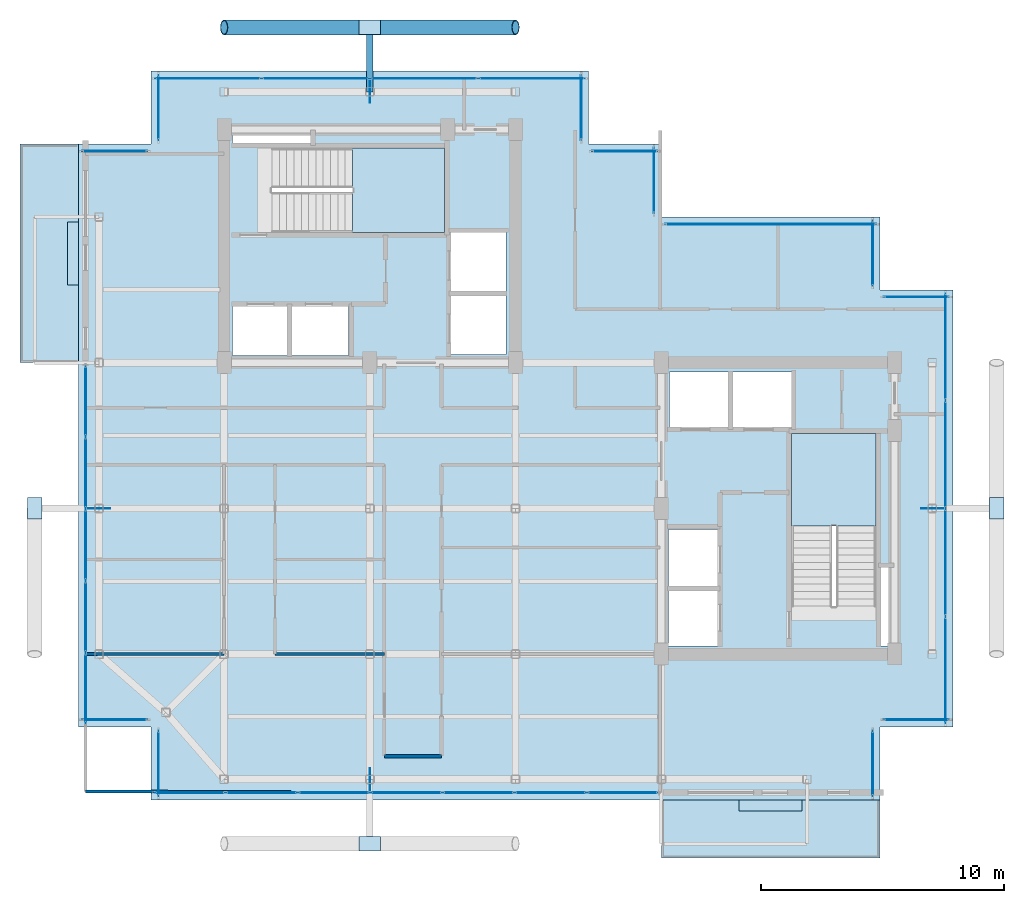
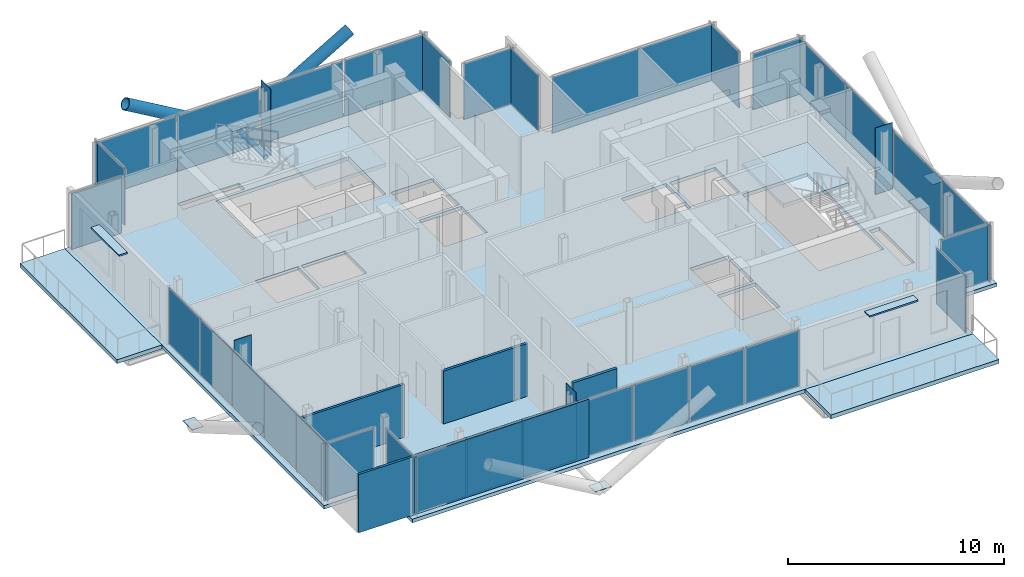
# One storey, part 13 of 18: 42 plates, 5 slabs, 4 walls, 3 members, 18 elements without a shape of their own.
"""IFC4 building model written with IfcOpenShell, lengths in metres."""

import ifcopenshell
import ifcopenshell.guid

model = None  # the IFC model being written
_history = None  # IfcOwnerHistory: only IFC2X3 demands one
_inside = {}  # id of a spatial element -> (the spatial element, [elements in it])
_under = {}  # id of a project, library or spatial element -> (it, [spatial elements below it])
_declared = {}  # id of a project -> (the project, [libraries it declares])
_typed = {}  # id of a type object -> (the type object, [elements of that type])
_made_of = {}  # id of a material, layer set ... -> (it, [elements and type objects made of it])


def new_model(schema):
    """Start an empty IFC model of exactly this schema.

    Asked for "IFC4X3", IfcOpenShell would pick the latest addendum, in which some entities
    have other attributes; the version numbers below select the first issue.
    IFC2X3 requires an IfcOwnerHistory on every rooted entity: one is made here for all.
    """
    global model, _history
    if schema == "IFC4X3":
        model = ifcopenshell.file(schema_version=(4, 3, 0, 0))
    else:
        model = ifcopenshell.file(schema=schema)
    _inside.clear()
    _under.clear()
    _declared.clear()
    _typed.clear()
    _made_of.clear()
    _history = None
    if model.schema == "IFC2X3":
        org = make("IfcOrganization", Name="unknown")
        user = make(
            "IfcPersonAndOrganization",
            ThePerson=make("IfcPerson", FamilyName="unknown"),
            TheOrganization=org,
        )
        app = make(
            "IfcApplication",
            ApplicationDeveloper=org,
            Version="unknown",
            ApplicationFullName="unknown",
            ApplicationIdentifier="unknown",
        )
        _history = make(
            "IfcOwnerHistory",
            OwningUser=user,
            OwningApplication=app,
            ChangeAction="ADDED",
            CreationDate=0,
        )
    return model


def make(cls, **values):
    """One entity of the class cls with the attributes given. An attribute that is None is left unset."""
    return model.create_entity(
        cls, **{name: value for name, value in values.items() if value is not None}
    )


def rooted(cls, **values):
    """An entity with a GlobalId (a new one), such as an element, a storey or a relation."""
    return make(cls, GlobalId=ifcopenshell.guid.new(), OwnerHistory=_history, **values)


def si_unit(unit_type, name, prefix=None):
    """IfcSIUnit, for example si_unit("LENGTHUNIT", "METRE", prefix="MILLI")."""
    return make("IfcSIUnit", UnitType=unit_type, Prefix=prefix, Name=name)


def assignment(units):
    """IfcUnitAssignment: the units of a project."""
    return None if units is None else make("IfcUnitAssignment", Units=units)


def point(xyz):
    """IfcCartesianPoint."""
    return None if xyz is None else make("IfcCartesianPoint", Coordinates=xyz)


def direction(xyz):
    """IfcDirection."""
    return None if xyz is None else make("IfcDirection", DirectionRatios=xyz)


def frame(location, z_axis=None, x_axis=None):
    """IfcAxis2Placement3D, a coordinate frame: its origin and axes. An axis left out is left unset."""
    return make(
        "IfcAxis2Placement3D",
        Location=point(location),
        Axis=direction(z_axis),
        RefDirection=direction(x_axis),
    )


def frame_2d(location, x_axis=None):
    """IfcAxis2Placement2D, a coordinate frame in the plane: its origin and x axis."""
    return make(
        "IfcAxis2Placement2D", Location=point(location), RefDirection=direction(x_axis)
    )


def origin():
    """The frame at (0, 0, 0) with its axes left unset."""
    return frame((0.0, 0.0, 0.0))


def origin_2d():
    """The frame at (0, 0) in the plane with its x axis left unset."""
    return frame_2d((0.0, 0.0))


def place(relative_to, where):
    """IfcLocalPlacement: puts the frame where relative to a parent placement (None: the world)."""
    return make(
        "IfcLocalPlacement", PlacementRelTo=relative_to, RelativePlacement=where
    )


def context(
    kind, dimensions, precision=None, world=None, true_north=None, identifier=None
):
    """IfcGeometricRepresentationContext, for example the 3D "Model" context."""
    return make(
        "IfcGeometricRepresentationContext",
        ContextIdentifier=identifier,
        ContextType=kind,
        CoordinateSpaceDimension=dimensions,
        Precision=precision,
        WorldCoordinateSystem=world,
        TrueNorth=true_north,
    )


def subcontext(parent, identifier, kind, view, scale=None):
    """IfcGeometricRepresentationSubContext, for example "Body" below "Model"."""
    return make(
        "IfcGeometricRepresentationSubContext",
        ContextIdentifier=identifier,
        ContextType=kind,
        ParentContext=parent,
        TargetScale=scale,
        TargetView=view,
    )


def project(units=None, contexts=None):
    """IfcProject with its units and contexts."""
    return rooted(
        "IfcProject",
        Name="project",
        RepresentationContexts=contexts,
        UnitsInContext=assignment(units),
    )


def spatial(cls, under=None, at=None, **own):
    """A site, building, storey or space (cls), placed at a placement, below another one or the project."""
    s = rooted(cls, ObjectPlacement=at, **own)
    if under is not None:
        _under.setdefault(under.id(), (under, []))[1].append(s)
    return s


def polyline(points):
    """IfcPolyline through the points."""
    return make("IfcPolyline", Points=[point(p) for p in points])


def profile(cls, at=None, kind="AREA", **sizes):
    """A parametric profile (cls). Its sizes go by their IFC names, for example OverallWidth=200.0."""
    return make(cls, ProfileType=kind, Position=at, **sizes)


def rectangle(**sizes):
    """IfcRectangleProfileDef."""
    return profile("IfcRectangleProfileDef", **sizes)


def hollow_circle(**sizes):
    """IfcCircleHollowProfileDef."""
    return profile("IfcCircleHollowProfileDef", **sizes)


def outline(outer, holes=None, kind="AREA"):
    """IfcArbitraryClosedProfileDef: a profile drawn as a closed curve; with holes, ...WithVoids."""
    if holes is None:
        return make("IfcArbitraryClosedProfileDef", ProfileType=kind, OuterCurve=outer)
    return make(
        "IfcArbitraryProfileDefWithVoids",
        ProfileType=kind,
        OuterCurve=outer,
        InnerCurves=holes,
    )


def extrude(swept, where, along, depth):
    """IfcExtrudedAreaSolid: the profile swept, set in the frame where, extruded along a direction by depth."""
    return make(
        "IfcExtrudedAreaSolid",
        SweptArea=swept,
        Position=where,
        ExtrudedDirection=direction(along),
        Depth=depth,
    )


def shape(context_of_items, identifier, shape_type, items):
    """IfcShapeRepresentation: the items that make up one representation, for example the "Body"."""
    return make(
        "IfcShapeRepresentation",
        ContextOfItems=context_of_items,
        RepresentationIdentifier=identifier,
        RepresentationType=shape_type,
        Items=items,
    )


def material(Name=None, Category=None):
    """IfcMaterial."""
    return make("IfcMaterial", Name=Name, Category=Category)


def layer(
    of_material, thickness, ventilated=None, Name=None, Category=None, Priority=None
):
    """IfcMaterialLayer: one layer of a wall or slab, of a material (None: an air gap)."""
    return make(
        "IfcMaterialLayer",
        Material=of_material,
        LayerThickness=thickness,
        IsVentilated=ventilated,
        Name=Name,
        Category=Category,
        Priority=Priority,
    )


def layer_set(layers, Name=None):
    """IfcMaterialLayerSet."""
    return make("IfcMaterialLayerSet", MaterialLayers=layers, LayerSetName=Name)


def material_profile(
    of_material, cross_section, Name=None, Category=None, Priority=None
):
    """IfcMaterialProfile: a cross section and its material."""
    return make(
        "IfcMaterialProfile",
        Name=Name,
        Material=of_material,
        Profile=cross_section,
        Priority=Priority,
        Category=Category,
    )


def profile_set(profiles, Name=None, composite=None):
    """IfcMaterialProfileSet."""
    return make(
        "IfcMaterialProfileSet",
        Name=Name,
        MaterialProfiles=profiles,
        CompositeProfile=composite,
    )


def made_of(thing, what):
    """Note that an element or type object is made of a material, layer set ...; save() writes the relation."""
    if what is not None:
        _made_of.setdefault(what.id(), (what, []))[1].append(thing)
    return thing


def type_object(cls, material=None, **own):
    """A type object (cls), such as IfcWallType, which elements share."""
    return made_of(rooted(cls, **own), material)


def element(
    cls,
    number,
    at=None,
    inside=None,
    cuts=None,
    type_object=None,
    material=None,
    context=None,
    identifier="Body",
    shape_type=None,
    held_by="IfcProductDefinitionShape",
    body=None,
    shapes=None,
    **own,
):
    """One element of the class cls, such as IfcWall. Its Tag is "e" and its number.

    at: its placement. inside: the storey or other place that contains it. cuts: it is an
    opening in that element (IfcRelVoidsElement). A single representation is given by context,
    identifier, shape_type and body (its items); several are given by shapes. held_by: the class
    of the entity that holds the representations. save() writes the other relations.
    """
    e = rooted(cls, Tag="e%d" % number, ObjectPlacement=at, **own)
    if body is not None:
        shapes = [shape(context, identifier, shape_type, body)]
    if shapes is not None:
        e.Representation = make(held_by, Representations=shapes)
    if inside is not None:
        _inside.setdefault(inside.id(), (inside, []))[1].append(e)
    if cuts is not None:
        rooted(
            "IfcRelVoidsElement", RelatingBuildingElement=cuts, RelatedOpeningElement=e
        )
    if type_object is not None:
        _typed.setdefault(type_object.id(), (type_object, []))[1].append(e)
    return made_of(e, material)


def aggregate(whole, parts):
    """IfcRelAggregates: a whole, such as a stair, and the parts it consists of."""
    return rooted("IfcRelAggregates", RelatingObject=whole, RelatedObjects=parts)


def save(model, path):
    """Write the relations noted so far, then the file.

    IfcRelAggregates (storeys below a building ...), IfcRelContainedInSpatialStructure (elements
    in a storey), IfcRelDefinesByType, IfcRelAssociatesMaterial and IfcRelDeclares: one each for
    every whole, place, type object, material and project.
    """
    for whole, parts in _under.values():
        aggregate(whole, parts)
    for where, things in _inside.values():
        rooted(
            "IfcRelContainedInSpatialStructure",
            RelatedElements=things,
            RelatingStructure=where,
        )
    for kind, things in _typed.values():
        rooted("IfcRelDefinesByType", RelatedObjects=things, RelatingType=kind)
    for what, things in _made_of.values():
        rooted("IfcRelAssociatesMaterial", RelatedObjects=things, RelatingMaterial=what)
    for by, libraries in _declared.values():
        rooted("IfcRelDeclares", RelatingContext=by, RelatedDefinitions=libraries)
    model.write(path)


model = new_model("IFC4")

# Units and contexts
model_context = context("Model", 3, precision=1e-05, world=origin(), true_north=direction((0.0, 1.0)))
body_context = subcontext(model_context, "Body", "Model", "MODEL_VIEW")
ifc_project = project(units=[si_unit("LENGTHUNIT", "METRE"), si_unit("AREAUNIT", "SQUARE_METRE"), si_unit("VOLUMEUNIT", "CUBIC_METRE"), si_unit("PLANEANGLEUNIT", "RADIAN"), si_unit("MASSUNIT", "GRAM", prefix="KILO"), si_unit("THERMODYNAMICTEMPERATUREUNIT", "KELVIN"), si_unit("POWERUNIT", "WATT")], contexts=[model_context])

# Site, building, storey
site_placement = place(None, origin())
site = spatial("IfcSite", under=ifc_project, at=site_placement, CompositionType="ELEMENT")
building_placement = place(site_placement, origin())
building = spatial("IfcBuilding", under=site, at=building_placement, Name="Svarakhadi Broadcast Tower", CompositionType="ELEMENT")
storey_placement = place(building_placement, frame((0.0, 0.0, 260.699951171875)))
storey = spatial("IfcBuildingStorey", under=building, at=storey_placement, Name="L65", CompositionType="ELEMENT", Elevation=260.699951171875)

# Members
ifc_material_1 = material(Name="Steel S460ML (IS 2062 E450BR)", Category="steel")
ifc_material_profile_1 = material_profile(ifc_material_1, hollow_circle(Radius=0.304931640625, WallThickness=0.030029296875, at=origin_2d()), Name="CHS 610x30")
ifc_profile_set_1 = profile_set([ifc_material_profile_1], Name="Steel S460ML (IS 2062 E450BR)")
member_type_1 = type_object("IfcMemberType", Name="Exo_Brace_CHS610", PredefinedType="BRACE", material=ifc_profile_set_1)
for number, where, z_axis, x_axis, name in (
    (1, (12.0, 31.800048828125, -0.33642578125), (-0.863778900898, 0.0, 0.503871025524), (0.0, -1.0, 0.0), "L65 Exposed Bronze Exoskeleton Diagonal N06"),
    (2, (12.0, 31.800048828125, -0.33642578125), (0.863778900898, 0.0, 0.503871025524), (0.0, 1.0, 0.0), "L65 Exposed Bronze Exoskeleton Diagonal N07"),
):
    element("IfcMember", number, at=place(storey_placement, frame(where, z_axis=z_axis, x_axis=x_axis)), inside=storey, type_object=member_type_1, Name=name, PredefinedType="BRACE", context=body_context, shape_type="SweptSolid", body=[
        extrude(hollow_circle(Radius=0.304931640625, WallThickness=0.030029296875, at=origin_2d()), origin(), (0.0, 0.0, 1.0), 6.9462890625),
    ])
ifc_material_profile_2 = material_profile(ifc_material_1, hollow_circle(Radius=0.136474609375, WallThickness=0.012451171875, at=origin_2d()), Name="CHS 273x12.5")
ifc_profile_set_2 = profile_set([ifc_material_profile_2], Name="Steel S460ML (IS 2062 E450BR)")
member_type_2 = type_object("IfcMemberType", Name="Exo_Radial_Strut_Z3", PredefinedType="STRUT", material=ifc_profile_set_2)
member_placement = place(storey_placement, frame((12.0, 31.800048828125, -0.33642578125), z_axis=(0.0, -1.0, 0.0), x_axis=(1.0, 0.0, 0.0)))
element("IfcMember", 3, at=member_placement, inside=storey, type_object=member_type_2, Name="L65 Exoskeleton Radial Tie Strut N04", PredefinedType="STRUT", context=body_context, shape_type="SweptSolid", body=[
    extrude(hollow_circle(Radius=0.136474609375, WallThickness=0.012451171875, at=origin_2d()), origin(), (0.0, 0.0, 1.0), 2.650146484375),
])

# Curtain wall, plate
ifc_material_2 = material(Name="Anodised Bronze Aluminium AA 6063-T6", Category="aluminium")
ifc_layer_1 = layer(ifc_material_2, 0.179931640625)
ifc_layer_set_1 = layer_set([ifc_layer_1], Name="Anodised Bronze Aluminium AA 6063-T6")
curtain_wall_type = type_object("IfcCurtainWallType", Name="CW_Sys_05", PredefinedType="NOTDEFINED", material=ifc_layer_set_1)
curtain_wall_1_placement = place(storey_placement, origin())
curtain_wall_1 = element("IfcCurtainWall", 4, at=curtain_wall_1_placement, inside=storey, type_object=curtain_wall_type, Name="L65 Unitised Facade Curtain Wall 01", PredefinedType="NOTDEFINED")
ifc_material_3 = material(Name="Double Low-E Laminated Acoustic Glass IGU 36 mm", Category="glass")
ifc_layer_2 = layer(ifc_material_3, 0.033935546875)
ifc_layer_set_2 = layer_set([ifc_layer_2], Name="Double Low-E Laminated Acoustic Glass IGU 36 mm")
plate_type_1 = type_object("IfcPlateType", Name="CW_Sys_05_Pnl", PredefinedType="CURTAIN_PANEL", material=ifc_layer_set_2)
plate_1_placement = place(storey_placement, frame((1.5, 3.300048828125, 0.065185546875), z_axis=(0.0, 0.0, 1.0), x_axis=(-1.0, 0.0, 0.0)))
plate_1 = element("IfcPlate", 5, at=plate_1_placement, type_object=plate_type_1, Name="CW-05 panel 1.1", PredefinedType="CURTAIN_PANEL", context=body_context, shape_type="SweptSolid", body=[
    extrude(rectangle(XDim=2.679931640625, YDim=0.033935546875, at=origin_2d()), origin(), (0.0, 0.0, 1.0), 3.169921875),
])
aggregate(curtain_wall_1, [plate_1])

# Curtain wall, plates
curtain_wall_2_placement = place(storey_placement, origin())
curtain_wall_2 = element("IfcCurtainWall", 6, at=curtain_wall_2_placement, inside=storey, type_object=curtain_wall_type, Name="L65 West Curtain Wall 02", PredefinedType="NOTDEFINED")
plate_2_placement = place(storey_placement, frame((0.300048828125, 4.589599609375, 0.065185546875), z_axis=(0.0, 0.0, 1.0), x_axis=(0.0, 1.0, 0.0)))
plate_2 = element("IfcPlate", 7, at=plate_2_placement, type_object=plate_type_1, Name="CW-05 panel 1.1", PredefinedType="CURTAIN_PANEL", context=body_context, shape_type="SweptSolid", body=[
    extrude(rectangle(XDim=2.85888671875, YDim=0.033935546875, at=origin_2d()), origin(), (0.0, 0.0, 1.0), 3.169921875),
])
plate_3_placement = place(storey_placement, frame((0.300048828125, 7.535888671875, 0.065185546875), z_axis=(0.0, 0.0, 1.0), x_axis=(0.0, 1.0, 0.0)))
plate_3 = element("IfcPlate", 8, at=plate_3_placement, type_object=plate_type_1, Name="CW-05 panel 2.1", PredefinedType="CURTAIN_PANEL", context=body_context, shape_type="SweptSolid", body=[
    extrude(rectangle(XDim=2.89404296875, YDim=0.033935546875, at=origin_2d()), origin(), (0.0, 0.0, 1.0), 3.169921875),
])
plate_4_placement = place(storey_placement, frame((0.300048828125, 10.5, 0.065185546875), z_axis=(0.0, 0.0, 1.0), x_axis=(0.0, 1.0, 0.0)))
plate_4 = element("IfcPlate", 9, at=plate_4_placement, type_object=plate_type_1, Name="CW-05 panel 3.1", PredefinedType="CURTAIN_PANEL", context=body_context, shape_type="SweptSolid", body=[
    extrude(rectangle(XDim=2.89404296875, YDim=0.033935546875, at=origin_2d()), origin(), (0.0, 0.0, 1.0), 3.169921875),
])
plate_5_placement = place(storey_placement, frame((0.300048828125, 13.464111328125, 0.065185546875), z_axis=(0.0, 0.0, 1.0), x_axis=(0.0, 1.0, 0.0)))
plate_5 = element("IfcPlate", 10, at=plate_5_placement, type_object=plate_type_1, Name="CW-05 panel 4.1", PredefinedType="CURTAIN_PANEL", context=body_context, shape_type="SweptSolid", body=[
    extrude(rectangle(XDim=2.89404296875, YDim=0.033935546875, at=origin_2d()), origin(), (0.0, 0.0, 1.0), 3.169921875),
])
plate_6_placement = place(storey_placement, frame((0.300048828125, 16.410400390625, 0.065185546875), z_axis=(0.0, 0.0, 1.0), x_axis=(0.0, 1.0, 0.0)))
plate_6 = element("IfcPlate", 11, at=plate_6_placement, type_object=plate_type_1, Name="CW-05 panel 5.1", PredefinedType="CURTAIN_PANEL", context=body_context, shape_type="SweptSolid", body=[
    extrude(rectangle(XDim=2.85888671875, YDim=0.033935546875, at=origin_2d()), origin(), (0.0, 0.0, 1.0), 3.169921875),
])
aggregate(curtain_wall_2, [plate_2, plate_3, plate_4, plate_5, plate_6])

# Curtain wall, plate
curtain_wall_3_placement = place(storey_placement, origin())
curtain_wall_3 = element("IfcCurtainWall", 12, at=curtain_wall_3_placement, inside=storey, type_object=curtain_wall_type, Name="L65 Unitised Facade Curtain Wall 03", PredefinedType="NOTDEFINED")
plate_7_placement = place(storey_placement, frame((1.5, 26.699951171875, 0.065185546875), z_axis=(0.0, 0.0, 1.0), x_axis=(1.0, 0.0, 0.0)))
plate_7 = element("IfcPlate", 13, at=plate_7_placement, type_object=plate_type_1, Name="CW-05 panel 1.1", PredefinedType="CURTAIN_PANEL", context=body_context, shape_type="SweptSolid", body=[
    extrude(rectangle(XDim=2.679931640625, YDim=0.033935546875, at=origin_2d()), origin(), (0.0, 0.0, 1.0), 3.169921875),
])
aggregate(curtain_wall_3, [plate_7])

curtain_wall_4_placement = place(storey_placement, origin())
curtain_wall_4 = element("IfcCurtainWall", 14, at=curtain_wall_4_placement, inside=storey, type_object=curtain_wall_type, Name="L65 Unitised Facade Curtain Wall 04", PredefinedType="NOTDEFINED")
plate_8_placement = place(storey_placement, frame((3.300048828125, 28.5, 0.065185546875), z_axis=(0.0, 0.0, 1.0), x_axis=(0.0, 1.0, 0.0)))
plate_8 = element("IfcPlate", 15, at=plate_8_placement, type_object=plate_type_1, Name="CW-05 panel 1.1", PredefinedType="CURTAIN_PANEL", context=body_context, shape_type="SweptSolid", body=[
    extrude(rectangle(XDim=2.679931640625, YDim=0.033935546875, at=origin_2d()), origin(), (0.0, 0.0, 1.0), 3.169921875),
])
aggregate(curtain_wall_4, [plate_8])

# Curtain wall, plates
curtain_wall_5_placement = place(storey_placement, origin())
curtain_wall_5 = element("IfcCurtainWall", 16, at=curtain_wall_5_placement, inside=storey, type_object=curtain_wall_type, Name="L65 Unitised Facade Curtain Wall 05", PredefinedType="NOTDEFINED")
plate_9_placement = place(storey_placement, frame((5.3349609375, 29.699951171875, 0.065185546875), z_axis=(0.0, 0.0, 1.0), x_axis=(1.0, 0.0, 0.0)))
plate_9 = element("IfcPlate", 17, at=plate_9_placement, type_object=plate_type_1, Name="CW-05 panel 1.1", PredefinedType="CURTAIN_PANEL", context=body_context, shape_type="SweptSolid", body=[
    extrude(rectangle(XDim=4.35009765625, YDim=0.033935546875, at=origin_2d()), origin(), (0.0, 0.0, 1.0), 3.169921875),
])
plate_10_placement = place(storey_placement, frame((9.7724609375, 29.699951171875, 0.065185546875), z_axis=(0.0, 0.0, 1.0), x_axis=(1.0, 0.0, 0.0)))
plate_10 = element("IfcPlate", 18, at=plate_10_placement, type_object=plate_type_1, Name="CW-05 panel 2.1", PredefinedType="CURTAIN_PANEL", context=body_context, shape_type="SweptSolid", body=[
    extrude(rectangle(XDim=4.385009765625, YDim=0.033935546875, at=origin_2d()), origin(), (0.0, 0.0, 1.0), 3.169921875),
])
plate_11_placement = place(storey_placement, frame((14.2275390625, 29.699951171875, 0.065185546875), z_axis=(0.0, 0.0, 1.0), x_axis=(1.0, 0.0, 0.0)))
plate_11 = element("IfcPlate", 19, at=plate_11_placement, type_object=plate_type_1, Name="CW-05 panel 3.1", PredefinedType="CURTAIN_PANEL", context=body_context, shape_type="SweptSolid", body=[
    extrude(rectangle(XDim=4.385009765625, YDim=0.033935546875, at=origin_2d()), origin(), (0.0, 0.0, 1.0), 3.169921875),
])
plate_12_placement = place(storey_placement, frame((18.6650390625, 29.699951171875, 0.065185546875), z_axis=(0.0, 0.0, 1.0), x_axis=(1.0, 0.0, 0.0)))
plate_12 = element("IfcPlate", 20, at=plate_12_placement, type_object=plate_type_1, Name="CW-05 panel 4.1", PredefinedType="CURTAIN_PANEL", context=body_context, shape_type="SweptSolid", body=[
    extrude(rectangle(XDim=4.35009765625, YDim=0.033935546875, at=origin_2d()), origin(), (0.0, 0.0, 1.0), 3.169921875),
])
aggregate(curtain_wall_5, [plate_9, plate_10, plate_11, plate_12])

# Curtain wall, plate
curtain_wall_6_placement = place(storey_placement, origin())
curtain_wall_6 = element("IfcCurtainWall", 21, at=curtain_wall_6_placement, inside=storey, type_object=curtain_wall_type, Name="L65 Unitised Facade Curtain Wall 06", PredefinedType="NOTDEFINED")
plate_13_placement = place(storey_placement, frame((20.699951171875, 28.5, 0.065185546875), z_axis=(0.0, 0.0, 1.0), x_axis=(0.0, -1.0, 0.0)))
plate_13 = element("IfcPlate", 22, at=plate_13_placement, type_object=plate_type_1, Name="CW-05 panel 1.1", PredefinedType="CURTAIN_PANEL", context=body_context, shape_type="SweptSolid", body=[
    extrude(rectangle(XDim=2.679931640625, YDim=0.033935546875, at=origin_2d()), origin(), (0.0, 0.0, 1.0), 3.169921875),
])
aggregate(curtain_wall_6, [plate_13])

curtain_wall_7_placement = place(storey_placement, origin())
curtain_wall_7 = element("IfcCurtainWall", 23, at=curtain_wall_7_placement, inside=storey, type_object=curtain_wall_type, Name="L65 Unitised Facade Curtain Wall 07", PredefinedType="NOTDEFINED")
plate_14_placement = place(storey_placement, frame((22.5, 26.699951171875, 0.065185546875), z_axis=(0.0, 0.0, 1.0), x_axis=(1.0, 0.0, 0.0)))
plate_14 = element("IfcPlate", 24, at=plate_14_placement, type_object=plate_type_1, Name="CW-05 panel 1.1", PredefinedType="CURTAIN_PANEL", context=body_context, shape_type="SweptSolid", body=[
    extrude(rectangle(XDim=2.679931640625, YDim=0.033935546875, at=origin_2d()), origin(), (0.0, 0.0, 1.0), 3.169921875),
])
aggregate(curtain_wall_7, [plate_14])

curtain_wall_8_placement = place(storey_placement, origin())
curtain_wall_8 = element("IfcCurtainWall", 25, at=curtain_wall_8_placement, inside=storey, type_object=curtain_wall_type, Name="L65 Unitised Facade Curtain Wall 08", PredefinedType="NOTDEFINED")
plate_15_placement = place(storey_placement, frame((23.699951171875, 25.5, 0.065185546875), z_axis=(0.0, 0.0, 1.0), x_axis=(0.0, -1.0, 0.0)))
plate_15 = element("IfcPlate", 26, at=plate_15_placement, type_object=plate_type_1, Name="CW-05 panel 1.1", PredefinedType="CURTAIN_PANEL", context=body_context, shape_type="SweptSolid", body=[
    extrude(rectangle(XDim=2.679931640625, YDim=0.033935546875, at=origin_2d()), origin(), (0.0, 0.0, 1.0), 3.169921875),
])
aggregate(curtain_wall_8, [plate_15])

curtain_wall_9_placement = place(storey_placement, origin())
curtain_wall_9 = element("IfcCurtainWall", 27, at=curtain_wall_9_placement, inside=storey, type_object=curtain_wall_type, Name="L65 Unitised Facade Curtain Wall 09", PredefinedType="NOTDEFINED")
plate_16_placement = place(storey_placement, frame((28.5, 23.699951171875, 0.065185546875), z_axis=(0.0, 0.0, 1.0), x_axis=(1.0, 0.0, 0.0)))
plate_16 = element("IfcPlate", 28, at=plate_16_placement, type_object=plate_type_1, Name="CW-05 panel 1.1", PredefinedType="CURTAIN_PANEL", context=body_context, shape_type="SweptSolid", body=[
    extrude(rectangle(XDim=8.679931640625, YDim=0.033935546875, at=origin_2d()), origin(), (0.0, 0.0, 1.0), 3.169921875),
])
aggregate(curtain_wall_9, [plate_16])

curtain_wall_10_placement = place(storey_placement, origin())
curtain_wall_10 = element("IfcCurtainWall", 29, at=curtain_wall_10_placement, inside=storey, type_object=curtain_wall_type, Name="L65 Unitised Facade Curtain Wall 10", PredefinedType="NOTDEFINED")
plate_17_placement = place(storey_placement, frame((32.699951171875, 22.5, 0.065185546875), z_axis=(0.0, 0.0, 1.0), x_axis=(0.0, -1.0, 0.0)))
plate_17 = element("IfcPlate", 30, at=plate_17_placement, type_object=plate_type_1, Name="CW-05 panel 1.1", PredefinedType="CURTAIN_PANEL", context=body_context, shape_type="SweptSolid", body=[
    extrude(rectangle(XDim=2.679931640625, YDim=0.033935546875, at=origin_2d()), origin(), (0.0, 0.0, 1.0), 3.169921875),
])
aggregate(curtain_wall_10, [plate_17])

curtain_wall_11_placement = place(storey_placement, origin())
curtain_wall_11 = element("IfcCurtainWall", 31, at=curtain_wall_11_placement, inside=storey, type_object=curtain_wall_type, Name="L65 Unitised Facade Curtain Wall 11", PredefinedType="NOTDEFINED")
plate_18_placement = place(storey_placement, frame((34.5, 20.699951171875, 0.065185546875), z_axis=(0.0, 0.0, 1.0), x_axis=(1.0, 0.0, 0.0)))
plate_18 = element("IfcPlate", 32, at=plate_18_placement, type_object=plate_type_1, Name="CW-05 panel 1.1", PredefinedType="CURTAIN_PANEL", context=body_context, shape_type="SweptSolid", body=[
    extrude(rectangle(XDim=2.679931640625, YDim=0.033935546875, at=origin_2d()), origin(), (0.0, 0.0, 1.0), 3.169921875),
])
aggregate(curtain_wall_11, [plate_18])

# Curtain wall, plates
curtain_wall_12_placement = place(storey_placement, origin())
curtain_wall_12 = element("IfcCurtainWall", 33, at=curtain_wall_12_placement, inside=storey, type_object=curtain_wall_type, Name="L65 Unitised Facade Curtain Wall 12", PredefinedType="NOTDEFINED")
plate_19_placement = place(storey_placement, frame((35.699951171875, 18.6650390625, 0.065185546875), z_axis=(0.0, 0.0, 1.0), x_axis=(0.0, -1.0, 0.0)))
plate_19 = element("IfcPlate", 34, at=plate_19_placement, type_object=plate_type_1, Name="CW-05 panel 1.1", PredefinedType="CURTAIN_PANEL", context=body_context, shape_type="SweptSolid", body=[
    extrude(rectangle(XDim=4.35009765625, YDim=0.033935546875, at=origin_2d()), origin(), (0.0, 0.0, 1.0), 3.169921875),
])
plate_20_placement = place(storey_placement, frame((35.699951171875, 14.2275390625, 0.065185546875), z_axis=(0.0, 0.0, 1.0), x_axis=(0.0, -1.0, 0.0)))
plate_20 = element("IfcPlate", 35, at=plate_20_placement, type_object=plate_type_1, Name="CW-05 panel 2.1", PredefinedType="CURTAIN_PANEL", context=body_context, shape_type="SweptSolid", body=[
    extrude(rectangle(XDim=4.385009765625, YDim=0.033935546875, at=origin_2d()), origin(), (0.0, 0.0, 1.0), 3.169921875),
])
plate_21_placement = place(storey_placement, frame((35.699951171875, 9.7724609375, 0.065185546875), z_axis=(0.0, 0.0, 1.0), x_axis=(0.0, -1.0, 0.0)))
plate_21 = element("IfcPlate", 36, at=plate_21_placement, type_object=plate_type_1, Name="CW-05 panel 3.1", PredefinedType="CURTAIN_PANEL", context=body_context, shape_type="SweptSolid", body=[
    extrude(rectangle(XDim=4.385009765625, YDim=0.033935546875, at=origin_2d()), origin(), (0.0, 0.0, 1.0), 3.169921875),
])
plate_22_placement = place(storey_placement, frame((35.699951171875, 5.3349609375, 0.065185546875), z_axis=(0.0, 0.0, 1.0), x_axis=(0.0, -1.0, 0.0)))
plate_22 = element("IfcPlate", 37, at=plate_22_placement, type_object=plate_type_1, Name="CW-05 panel 4.1", PredefinedType="CURTAIN_PANEL", context=body_context, shape_type="SweptSolid", body=[
    extrude(rectangle(XDim=4.35009765625, YDim=0.033935546875, at=origin_2d()), origin(), (0.0, 0.0, 1.0), 3.169921875),
])
aggregate(curtain_wall_12, [plate_19, plate_20, plate_21, plate_22])

# Curtain wall, plate
curtain_wall_13_placement = place(storey_placement, origin())
curtain_wall_13 = element("IfcCurtainWall", 38, at=curtain_wall_13_placement, inside=storey, type_object=curtain_wall_type, Name="L65 Unitised Facade Curtain Wall 13", PredefinedType="NOTDEFINED")
plate_23_placement = place(storey_placement, frame((34.5, 3.300048828125, 0.065185546875), z_axis=(0.0, 0.0, 1.0), x_axis=(-1.0, 0.0, 0.0)))
plate_23 = element("IfcPlate", 39, at=plate_23_placement, type_object=plate_type_1, Name="CW-05 panel 1.1", PredefinedType="CURTAIN_PANEL", context=body_context, shape_type="SweptSolid", body=[
    extrude(rectangle(XDim=2.679931640625, YDim=0.033935546875, at=origin_2d()), origin(), (0.0, 0.0, 1.0), 3.169921875),
])
aggregate(curtain_wall_13, [plate_23])

curtain_wall_14_placement = place(storey_placement, origin())
curtain_wall_14 = element("IfcCurtainWall", 40, at=curtain_wall_14_placement, inside=storey, type_object=curtain_wall_type, Name="L65 Unitised Facade Curtain Wall 14", PredefinedType="NOTDEFINED")
plate_24_placement = place(storey_placement, frame((32.699951171875, 1.5, 0.065185546875), z_axis=(0.0, 0.0, 1.0), x_axis=(0.0, -1.0, 0.0)))
plate_24 = element("IfcPlate", 41, at=plate_24_placement, type_object=plate_type_1, Name="CW-05 panel 1.1", PredefinedType="CURTAIN_PANEL", context=body_context, shape_type="SweptSolid", body=[
    extrude(rectangle(XDim=2.679931640625, YDim=0.033935546875, at=origin_2d()), origin(), (0.0, 0.0, 1.0), 3.169921875),
])
aggregate(curtain_wall_14, [plate_24])

# Curtain wall, plates
curtain_wall_15_placement = place(storey_placement, origin())
curtain_wall_15 = element("IfcCurtainWall", 42, at=curtain_wall_15_placement, inside=storey, type_object=curtain_wall_type, Name="L65 South Curtain Wall 15", PredefinedType="NOTDEFINED")
plate_25_placement = place(storey_placement, frame((22.4052734375, 0.300048828125, 0.065185546875), z_axis=(0.0, 0.0, 1.0), x_axis=(-1.0, 0.0, 0.0)))
plate_25 = element("IfcPlate", 43, at=plate_25_placement, type_object=plate_type_1, Name="CW-05 panel 1.1", PredefinedType="CURTAIN_PANEL", context=body_context, shape_type="SweptSolid", body=[
    extrude(rectangle(XDim=2.869384765625, YDim=0.033935546875, at=origin_2d()), origin(), (0.0, 0.0, 1.0), 3.169921875),
])
plate_26_placement = place(storey_placement, frame((19.448486328125, 0.300048828125, 0.065185546875), z_axis=(0.0, 0.0, 1.0), x_axis=(-1.0, 0.0, 0.0)))
plate_26 = element("IfcPlate", 44, at=plate_26_placement, type_object=plate_type_1, Name="CW-05 panel 2.1", PredefinedType="CURTAIN_PANEL", context=body_context, shape_type="SweptSolid", body=[
    extrude(rectangle(XDim=2.904296875, YDim=0.033935546875, at=origin_2d()), origin(), (0.0, 0.0, 1.0), 3.169921875),
])
plate_27_placement = place(storey_placement, frame((16.474365234375, 0.300048828125, 0.065185546875), z_axis=(0.0, 0.0, 1.0), x_axis=(-1.0, 0.0, 0.0)))
plate_27 = element("IfcPlate", 45, at=plate_27_placement, type_object=plate_type_1, Name="CW-05 panel 3.1", PredefinedType="CURTAIN_PANEL", context=body_context, shape_type="SweptSolid", body=[
    extrude(rectangle(XDim=2.904296875, YDim=0.033935546875, at=origin_2d()), origin(), (0.0, 0.0, 1.0), 3.169921875),
])
plate_28_placement = place(storey_placement, frame((13.5, 0.300048828125, 0.065185546875), z_axis=(0.0, 0.0, 1.0), x_axis=(-1.0, 0.0, 0.0)))
plate_28 = element("IfcPlate", 46, at=plate_28_placement, type_object=plate_type_1, Name="CW-05 panel 4.1", PredefinedType="CURTAIN_PANEL", context=body_context, shape_type="SweptSolid", body=[
    extrude(rectangle(XDim=2.904296875, YDim=0.033935546875, at=origin_2d()), origin(), (0.0, 0.0, 1.0), 3.169921875),
])
plate_29_placement = place(storey_placement, frame((10.525634765625, 0.300048828125, 0.065185546875), z_axis=(0.0, 0.0, 1.0), x_axis=(-1.0, 0.0, 0.0)))
plate_29 = element("IfcPlate", 47, at=plate_29_placement, type_object=plate_type_1, Name="CW-05 panel 5.1", PredefinedType="CURTAIN_PANEL", context=body_context, shape_type="SweptSolid", body=[
    extrude(rectangle(XDim=2.904296875, YDim=0.033935546875, at=origin_2d()), origin(), (0.0, 0.0, 1.0), 3.169921875),
])
plate_30_placement = place(storey_placement, frame((7.551513671875, 0.300048828125, 0.065185546875), z_axis=(0.0, 0.0, 1.0), x_axis=(-1.0, 0.0, 0.0)))
plate_30 = element("IfcPlate", 48, at=plate_30_placement, type_object=plate_type_1, Name="CW-05 panel 6.1", PredefinedType="CURTAIN_PANEL", context=body_context, shape_type="SweptSolid", body=[
    extrude(rectangle(XDim=2.904296875, YDim=0.033935546875, at=origin_2d()), origin(), (0.0, 0.0, 1.0), 3.169921875),
])
plate_31_placement = place(storey_placement, frame((4.5947265625, 0.300048828125, 0.065185546875), z_axis=(0.0, 0.0, 1.0), x_axis=(-1.0, 0.0, 0.0)))
plate_31 = element("IfcPlate", 49, at=plate_31_placement, type_object=plate_type_1, Name="CW-05 panel 7.1", PredefinedType="CURTAIN_PANEL", context=body_context, shape_type="SweptSolid", body=[
    extrude(rectangle(XDim=2.869384765625, YDim=0.033935546875, at=origin_2d()), origin(), (0.0, 0.0, 1.0), 3.169921875),
])
aggregate(curtain_wall_15, [plate_25, plate_26, plate_27, plate_28, plate_29, plate_30, plate_31])

# Curtain wall, plate
curtain_wall_16_placement = place(storey_placement, origin())
curtain_wall_16 = element("IfcCurtainWall", 50, at=curtain_wall_16_placement, inside=storey, type_object=curtain_wall_type, Name="L65 Unitised Facade Curtain Wall 16", PredefinedType="NOTDEFINED")
plate_32_placement = place(storey_placement, frame((3.300048828125, 1.5, 0.065185546875), z_axis=(0.0, 0.0, 1.0), x_axis=(0.0, 1.0, 0.0)))
plate_32 = element("IfcPlate", 51, at=plate_32_placement, type_object=plate_type_1, Name="CW-05 panel 1.1", PredefinedType="CURTAIN_PANEL", context=body_context, shape_type="SweptSolid", body=[
    extrude(rectangle(XDim=2.679931640625, YDim=0.033935546875, at=origin_2d()), origin(), (0.0, 0.0, 1.0), 3.169921875),
])
aggregate(curtain_wall_16, [plate_32])

# Plates
ifc_layer_3 = layer(ifc_material_1, 0.02490234375)
ifc_layer_set_3 = layer_set([ifc_layer_3], Name="Steel S460ML (IS 2062 E450BR)")
plate_type_2 = type_object("IfcPlateType", Name="Node_Gusset_N05", PredefinedType="SHEET", material=ifc_layer_set_3)
for number, where, z_axis, x_axis, name in (
    (52, (12.0, -1.800048828125, -0.199951171875), (0.0, 0.0, 1.0), (1.0, 0.0, 0.0), "L65 Exoskeleton Gusset Node Plate S01"),
    (53, (-1.800048828125, 12.0, -0.199951171875), (0.0, 0.0, 1.0), (0.0, 1.0, 0.0), "L65 Exoskeleton Gusset Node Plate W02"),
    (54, (37.800048828125, 12.0, -0.199951171875), (0.0, 0.0, 1.0), (0.0, 1.0, 0.0), "L65 Exoskeleton Gusset Node Plate E03"),
    (55, (12.0, 31.800048828125, -0.199951171875), (0.0, 0.0, 1.0), (1.0, 0.0, 0.0), "L65 Exoskeleton Gusset Node Plate N04"),
):
    element("IfcPlate", number, at=place(storey_placement, frame(where, z_axis=z_axis, x_axis=x_axis)), inside=storey, type_object=plate_type_2, Name=name, PredefinedType="SHEET", context=body_context, shape_type="SweptSolid", body=[
        extrude(rectangle(XDim=0.8798828125, YDim=0.60009765625, at=origin_2d()), origin(), (0.0, 0.0, 1.0), 0.02490234375),
    ])
ifc_layer_4 = layer(ifc_material_1, 0.02587890625)
ifc_layer_set_4 = layer_set([ifc_layer_4], Name="Steel S460ML (IS 2062 E450BR)")
plate_type_3 = type_object("IfcPlateType", Name="Node_Gusset_N07", PredefinedType="SHEET", material=ifc_layer_set_4)
for number, where, z_axis, x_axis, name in (
    (56, (12.0, 0.85009765625, -0.53662109375), (0.0, 0.0, 1.0), (0.0, 1.0, 0.0), "L65 Brace End Connection Gusset Plate N-07-E0520"),
    (57, (0.85009765625, 12.0, -0.53662109375), (0.0, 0.0, 1.0), (1.0, 0.0, 0.0), "L65 Brace End Connection Gusset Plate N-07-E0521"),
    (58, (35.14990234375, 12.0, -0.53662109375), (0.0, 0.0, 1.0), (1.0, 0.0, 0.0), "L65 Brace End Connection Gusset Plate N-07-E0522"),
    (59, (12.0, 29.14990234375, -0.53662109375), (0.0, 0.0, 1.0), (0.0, 1.0, 0.0), "L65 Brace End Connection Gusset Plate N-07-E0523"),
):
    element("IfcPlate", number, at=place(storey_placement, frame(where, z_axis=z_axis, x_axis=x_axis)), inside=storey, type_object=plate_type_3, Name=name, PredefinedType="SHEET", context=body_context, shape_type="SweptSolid", body=[
        extrude(rectangle(XDim=0.919921875, YDim=0.02587890625, at=origin_2d()), origin(), (0.0, 0.0, 1.0), 4.300048828125),
    ])

# Slab
ifc_material_4 = material(Name="Concrete C40/50 (IS 456 M50)", Category="concrete")
ifc_layer_5 = layer(ifc_material_4, 0.199951171875)
ifc_layer_set_5 = layer_set([ifc_layer_5], Name="Concrete C40/50 (IS 456 M50)")
slab_type_1 = type_object("IfcSlabType", Name="Slab_Floor_200", PredefinedType="FLOOR", material=ifc_layer_set_5)
slab_1_placement = place(storey_placement, frame((0.0, 0.0, -0.199951171875)))
element("IfcSlab", 60, at=slab_1_placement, inside=storey, type_object=slab_type_1, Name="L65 Structural Floor Slab", PredefinedType="FLOOR", context=body_context, shape_type="SweptSolid", body=[
    extrude(outline(polyline([(3.0, 0.0), (33.0, 0.0), (33.0, 3.0), (36.0, 3.0), (36.0, 21.0), (33.0, 21.0), (33.0, 24.0), (24.0, 24.0), (24.0, 27.0), (21.0, 27.0), (21.0, 30.0), (3.0, 30.0), (3.0, 27.0), (0.0, 27.0), (0.0, 3.0), (3.0, 3.0), (3.0, 0.0)]), holes=[polyline([(7.97998046875, 23.360107421875), (15.080078125, 23.360107421875), (15.080078125, 26.840087890625), (7.97998046875, 26.840087890625), (7.97998046875, 23.360107421875)]), polyline([(32.840087890625, 7.97998046875), (32.840087890625, 15.080078125), (29.360107421875, 15.080078125), (29.360107421875, 7.97998046875), (32.840087890625, 7.97998046875)]), polyline([(6.340087890625, 18.2900390625), (8.610107421875, 18.2900390625), (8.610107421875, 20.330078125), (6.340087890625, 20.330078125), (6.340087890625, 18.2900390625)]), polyline([(8.7900390625, 18.2900390625), (11.1298828125, 18.2900390625), (11.1298828125, 20.330078125), (8.7900390625, 20.330078125), (8.7900390625, 18.2900390625)]), polyline([(24.2900390625, 6.340087890625), (26.330078125, 6.340087890625), (26.330078125, 8.610107421875), (24.2900390625, 8.610107421875), (24.2900390625, 6.340087890625)]), polyline([(24.2900390625, 8.7900390625), (26.330078125, 8.7900390625), (26.330078125, 11.1298828125), (24.2900390625, 11.1298828125), (24.2900390625, 8.7900390625)]), polyline([(6.340087890625, 26.989990234375), (9.610107421875, 26.989990234375), (9.610107421875, 27.530029296875), (6.340087890625, 27.530029296875), (6.340087890625, 26.989990234375)]), polyline([(32.989990234375, 6.340087890625), (33.530029296875, 6.340087890625), (33.530029296875, 9.610107421875), (32.989990234375, 9.610107421875), (32.989990234375, 6.340087890625)]), polyline([(15.340087890625, 18.340087890625), (17.610107421875, 18.340087890625), (17.610107421875, 20.760009765625), (15.340087890625, 20.760009765625), (15.340087890625, 18.340087890625)]), polyline([(15.340087890625, 20.93994140625), (17.610107421875, 20.93994140625), (17.610107421875, 23.360107421875), (15.340087890625, 23.360107421875), (15.340087890625, 20.93994140625)]), polyline([(24.340087890625, 15.340087890625), (26.760009765625, 15.340087890625), (26.760009765625, 17.610107421875), (24.340087890625, 17.610107421875), (24.340087890625, 15.340087890625)]), polyline([(26.93994140625, 15.340087890625), (29.360107421875, 15.340087890625), (29.360107421875, 17.610107421875), (26.93994140625, 17.610107421875), (26.93994140625, 15.340087890625)])]), origin(), (0.0, 0.0, 1.0), 0.199951171875),
])

# Stair, slab
stair_type = type_object("IfcStairType", Name="Stair_Exit_Core", PredefinedType="HALF_TURN_STAIR", material=ifc_material_4)
stair_1_placement = place(storey_placement, origin())
stair_1 = element("IfcStair", 61, at=stair_1_placement, inside=storey, type_object=stair_type, Name="L65 West Core Protected Exit Stair ST-01", PredefinedType="HALF_TURN_STAIR")
ifc_layer_6 = layer(ifc_material_4, 0.199951171875)
ifc_layer_set_6 = layer_set([ifc_layer_6], Name="Concrete C40/50 (IS 456 M50)")
slab_type_2 = type_object("IfcSlabType", Name="Slab_Stair_Land", PredefinedType="LANDING", material=ifc_layer_set_6)
slab_2_placement = place(storey_placement, frame((0.0, 0.0, 1.550048828125)))
slab_2 = element("IfcSlab", 62, at=slab_2_placement, type_object=slab_type_2, Name="ST-01 landing 1", PredefinedType="LANDING", context=body_context, shape_type="SweptSolid", body=[
    extrude(outline(polyline([(11.280029296875, 23.360107421875), (15.080078125, 23.360107421875), (15.080078125, 26.840087890625), (11.280029296875, 26.840087890625), (11.280029296875, 23.360107421875)])), origin(), (0.0, 0.0, 1.0), 0.199951171875),
])
aggregate(stair_1, [slab_2])

stair_2_placement = place(storey_placement, origin())
stair_2 = element("IfcStair", 63, at=stair_2_placement, inside=storey, type_object=stair_type, Name="L65 East Core Protected Exit Stair ST-02", PredefinedType="HALF_TURN_STAIR")
slab_3_placement = place(storey_placement, frame((0.0, 0.0, 1.550048828125)))
slab_3 = element("IfcSlab", 64, at=slab_3_placement, type_object=slab_type_2, Name="ST-02 landing 1", PredefinedType="LANDING", context=body_context, shape_type="SweptSolid", body=[
    extrude(outline(polyline([(32.840087890625, 11.280029296875), (32.840087890625, 15.080078125), (29.360107421875, 15.080078125), (29.360107421875, 11.280029296875), (32.840087890625, 11.280029296875)])), origin(), (0.0, 0.0, 1.0), 0.199951171875),
])
aggregate(stair_2, [slab_3])

# Slabs
ifc_layer_7 = layer(ifc_material_4, 0.22509765625)
ifc_layer_set_7 = layer_set([ifc_layer_7], Name="Concrete C40/50 (IS 456 M50)")
slab_type_3 = type_object("IfcSlabType", Name="Slab_TreeBalcony", PredefinedType="FLOOR", material=ifc_layer_set_7)
slab_4_placement = place(storey_placement, frame((0.0, 0.0, -0.224853515625)))
element("IfcSlab", 65, at=slab_4_placement, inside=storey, type_object=slab_type_3, Name="L65 Planted Tree Balcony Slab BAL-E", PredefinedType="FLOOR", context=body_context, shape_type="SweptSolid", body=[
    extrude(outline(polyline([(24.0, -2.39990234375), (33.0, -2.39990234375), (33.0, 0.0), (24.0, 0.0), (24.0, -2.39990234375)])), origin(), (0.0, 0.0, 1.0), 0.224853515625),
])
slab_5_placement = place(storey_placement, frame((0.0, 0.0, -0.224853515625)))
element("IfcSlab", 66, at=slab_5_placement, inside=storey, type_object=slab_type_3, Name="L65 Planted Tree Balcony Slab BAL-N", PredefinedType="FLOOR", context=body_context, shape_type="SweptSolid", body=[
    extrude(outline(polyline([(-2.39990234375, 18.0), (0.0, 18.0), (0.0, 27.0), (-2.39990234375, 27.0), (-2.39990234375, 18.0)])), origin(), (0.0, 0.0, 1.0), 0.224853515625),
])

# Plates
ifc_layer_8 = layer(ifc_material_2, 0.080078125)
ifc_layer_set_8 = layer_set([ifc_layer_8], Name="Anodised Bronze Aluminium AA 6063-T6")
plate_type_4 = type_object("IfcPlateType", Name="Sunshade_Fin_SS01", PredefinedType="USERDEFINED", material=ifc_layer_set_8)
for number, where, z_axis, x_axis, name in (
    (67, (28.5, -0.22509765625, 3.219970703125), (0.0, 0.0, 1.0), (1.0, 0.0, 0.0), "L65 South Bronze Brise-Soleil Sunshade SS-01"),
    (68, (-0.22509765625, 22.5, 3.219970703125), (0.0, 0.0, 1.0), (0.0, 1.0, 0.0), "L65 West Bronze Brise-Soleil Sunshade SS-01"),
):
    element("IfcPlate", number, at=place(storey_placement, frame(where, z_axis=z_axis, x_axis=x_axis)), inside=storey, type_object=plate_type_4, Name=name, ObjectType="SUNSHADE", PredefinedType="USERDEFINED", context=body_context, shape_type="SweptSolid", body=[
        extrude(rectangle(XDim=2.60009765625, YDim=0.449951171875, at=origin_2d()), origin(), (0.0, 0.0, 1.0), 0.080078125),
    ])

# Walls
ifc_material_5 = material(Name="Fire-Rated Moisture-Resistant Gypsum Board Partition", Category="gypsum")
ifc_layer_9 = layer(ifc_material_5, 0.125)
ifc_layer_set_9 = layer_set([ifc_layer_9], Name="Fire-Rated Moisture-Resistant Gypsum Board Partition")
wall_type_1 = type_object("IfcWallType", Name="Wall_Part_125", PredefinedType="PARTITIONING", material=ifc_layer_set_9)
wall_1_placement = place(storey_placement, frame((0.300048828125, 0.35009765625, 0.0), z_axis=(0.0, 0.0, 1.0), x_axis=(0.999991721746, -0.00406896058, 0.0)))
element("IfcWall", 69, at=wall_1_placement, inside=storey, type_object=wall_type_1, Name="L65 Apartment A Wall", PredefinedType="PARTITIONING", context=body_context, shape_type="SweptSolid", body=[
    extrude(rectangle(XDim=12.300048828125, YDim=0.125, at=frame_2d((6.14990234375, 0.0))), origin(), (0.0, 0.0, 1.0), 3.300048828125),
])
wall_2_placement = place(storey_placement, frame((8.10009765625, 6.0, 0.0), z_axis=(0.0, 0.0, 1.0), x_axis=(1.0, 0.0, 0.0)))
element("IfcWall", 70, at=wall_2_placement, inside=storey, type_object=wall_type_1, Name="L65 Apartment A Kitchen Wall", PredefinedType="PARTITIONING", context=body_context, shape_type="SweptSolid", body=[
    extrude(rectangle(XDim=4.5, YDim=0.125, at=frame_2d((2.25, 0.0))), origin(), (0.0, 0.0, 1.0), 2.991943359375),
])
wall_3_placement = place(storey_placement, frame((0.300048828125, 6.0, 0.0), z_axis=(0.0, 0.0, 1.0), x_axis=(1.0, 0.0, 0.0)))
element("IfcWall", 71, at=wall_3_placement, inside=storey, type_object=wall_type_1, Name="L65 Apartment A Bedroom 1 Wall", PredefinedType="PARTITIONING", context=body_context, shape_type="SweptSolid", body=[
    extrude(rectangle(XDim=5.699951171875, YDim=0.125, at=frame_2d((2.85009765625, 0.0))), origin(), (0.0, 0.0, 1.0), 2.991943359375),
])
ifc_material_6 = material(Name="Autoclaved Aerated Concrete Blockwork 150 mm", Category="masonry")
ifc_layer_10 = layer(ifc_material_6, 0.14990234375)
ifc_layer_set_10 = layer_set([ifc_layer_10], Name="Autoclaved Aerated Concrete Blockwork 150 mm")
wall_type_2 = type_object("IfcWallType", Name="Wall_Part_150", PredefinedType="PARTITIONING", material=ifc_layer_set_10)
wall_4_placement = place(storey_placement, frame((14.949951171875, 1.800048828125, 0.0), z_axis=(0.0, 0.0, 1.0), x_axis=(-1.0, 0.0, 0.0)))
element("IfcWall", 72, at=wall_4_placement, inside=storey, type_object=wall_type_2, Name="L65 Upper Tower Concourse Wall", PredefinedType="PARTITIONING", context=body_context, shape_type="SweptSolid", body=[
    extrude(rectangle(XDim=2.349853515625, YDim=0.14990234375, at=frame_2d((1.1748046875, 0.0))), origin(), (0.0, 0.0, 1.0), 3.300048828125),
])

save(model, "model.ifc")
